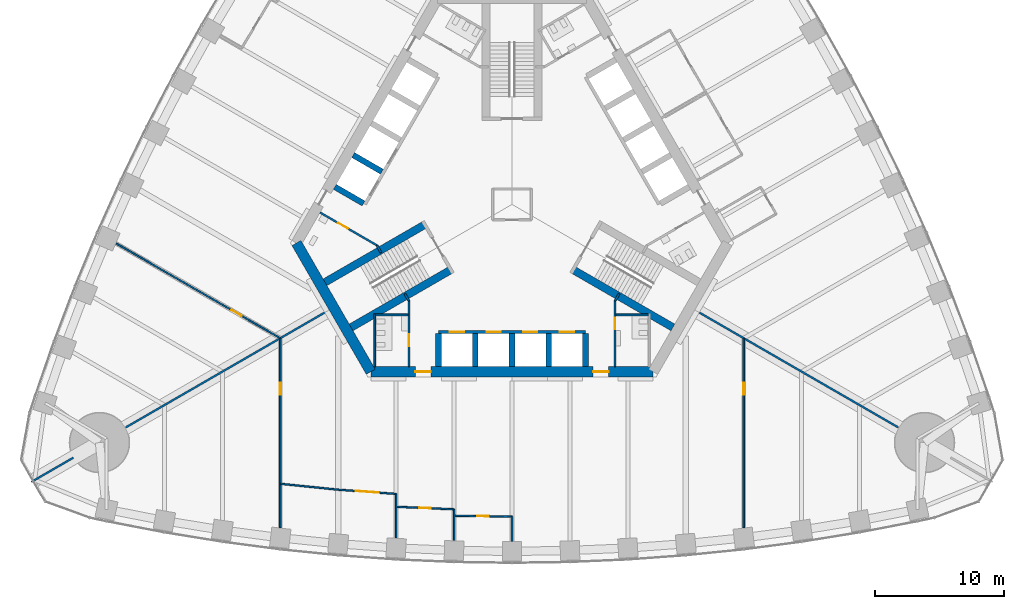
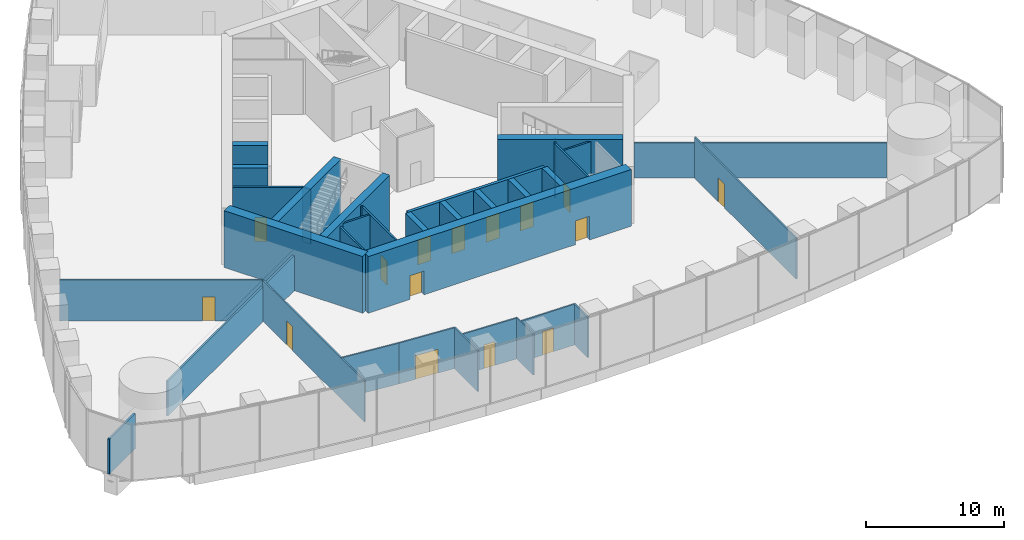
# One storey, part 15 of 21: 35 walls, 15 doors, 15 openings.
"""IFC4 building model written with IfcOpenShell, lengths in metres."""

from ifc_helpers import new_model, si_unit, direction, frame, frame_2d, origin, place, context, subcontext, project, spatial, rectangle, extrude, material, layer, layer_set, type_object, element, fill, save


model = new_model("IFC4")

# Units and contexts
model_context = context("Model", 3, precision=1e-05, world=origin(), true_north=direction((0.0, 1.0)))
body_context = subcontext(model_context, "Body", "Model", "MODEL_VIEW")
ifc_project = project(units=[si_unit("LENGTHUNIT", "METRE"), si_unit("AREAUNIT", "SQUARE_METRE"), si_unit("VOLUMEUNIT", "CUBIC_METRE"), si_unit("PLANEANGLEUNIT", "RADIAN"), si_unit("MASSUNIT", "GRAM", prefix="KILO")], contexts=[model_context])

# Site, building, storey
site_placement = place(None, origin())
site = spatial("IfcSite", under=ifc_project, at=site_placement, CompositionType="ELEMENT")
building_placement = place(site_placement, origin())
building = spatial("IfcBuilding", under=site, at=building_placement, Name="Trefoil Bronze Tower", CompositionType="ELEMENT")
storey_placement = place(building_placement, frame((0.0, 0.0, 11.5)))
storey = spatial("IfcBuildingStorey", under=building, at=storey_placement, Name="L02", CompositionType="ELEMENT", Elevation=11.5)

# Wall, openings, doors
ifc_material_1 = material(Name="Concrete B80", Category="concrete")
ifc_layer_1 = layer(ifc_material_1, 0.800048828125)
ifc_layer_set_1 = layer_set([ifc_layer_1], Name="Core wall 800")
wall_type_1 = type_object("IfcWallType", Name="Core wall 800", PredefinedType="SHEAR", material=ifc_layer_set_1)
wall_1_placement = place(storey_placement, frame((-10.9697265625, -13.0, 0.0), z_axis=(0.0, 0.0, 1.0), x_axis=(1.0, 0.0, 0.0)))
wall_1 = element("IfcWall", 1, at=wall_1_placement, inside=storey, type_object=wall_type_1, Name="Core long wall 1 L02", PredefinedType="SHEAR", context=body_context, shape_type="SweptSolid", body=[
    extrude(rectangle(XDim=21.939453125, YDim=0.800048828125, at=frame_2d((10.9697265625, 0.0))), origin(), (0.0, 0.0, 1.0), 5.0),
])
opening_1_placement = place(wall_1_placement, frame((17.269775390625, 0.0, 0.0)))
opening_1 = element("IfcOpeningElement", 2, at=opening_1_placement, cuts=wall_1, Name="Opening D2", PredefinedType="OPENING", context=body_context, shape_type="SweptSolid", body=[
    extrude(rectangle(XDim=1.199951171875, YDim=2.10009765625, at=frame_2d((0.60009765625, 1.050048828125))), frame((0.0, 0.409912109375, 0.0), z_axis=(0.0, -1.0, 0.0), x_axis=(1.0, 0.0, 0.0)), (0.0, 0.0, 1.0), 0.820068359375),
])
opening_2_placement = place(wall_1_placement, frame((3.4697265625, 0.0, 0.0)))
opening_2 = element("IfcOpeningElement", 3, at=opening_2_placement, cuts=wall_1, Name="Opening D2", PredefinedType="OPENING", context=body_context, shape_type="SweptSolid", body=[
    extrude(rectangle(XDim=1.199951171875, YDim=2.10009765625, at=frame_2d((0.60009765625, 1.050048828125))), frame((0.0, 0.409912109375, 0.0), z_axis=(0.0, -1.0, 0.0), x_axis=(1.0, 0.0, 0.0)), (0.0, 0.0, 1.0), 0.820068359375),
])
ifc_material_2 = material(Name="Steel door", Category="steel")
door_type_1 = type_object("IfcDoorType", Name="Lobby door 1200", OperationType="SINGLE_SWING_RIGHT", PredefinedType="DOOR", material=ifc_material_2)
door_1_placement = place(opening_1_placement, origin())
door_1 = element("IfcDoor", 4, at=door_1_placement, inside=storey, type_object=door_type_1, Name="Lobby door F1+ L02", OperationType="SINGLE_SWING_RIGHT", OverallHeight=2.10009765625, OverallWidth=1.199951171875, PredefinedType="DOOR", context=body_context, shape_type="SweptSolid", body=[
    extrude(rectangle(XDim=1.199951171875, YDim=2.10009765625, at=frame_2d((0.60009765625, 1.050048828125))), frame((0.0, 0.02490234375, 0.0), z_axis=(0.0, -1.0, 0.0), x_axis=(1.0, 0.0, 0.0)), (0.0, 0.0, 1.0), 0.050048828125),
])
fill(opening_1, door_1)
door_2_placement = place(opening_2_placement, origin())
door_2 = element("IfcDoor", 5, at=door_2_placement, inside=storey, type_object=door_type_1, Name="Lobby door F1- L02", OperationType="SINGLE_SWING_LEFT", OverallHeight=2.10009765625, OverallWidth=1.199951171875, PredefinedType="DOOR", context=body_context, shape_type="SweptSolid", body=[
    extrude(rectangle(XDim=1.199951171875, YDim=2.10009765625, at=frame_2d((0.60009765625, 1.050048828125))), frame((0.0, 0.02490234375, 0.0), z_axis=(0.0, -1.0, 0.0), x_axis=(1.0, 0.0, 0.0)), (0.0, 0.0, 1.0), 0.050048828125),
])
fill(opening_2, door_2)

# Wall
wall_2_placement = place(storey_placement, frame((-16.7431640625, -3.0, 0.0), z_axis=(0.0, 0.0, 1.0), x_axis=(0.499995765644, -0.866027848477, 0.0)))
element("IfcWall", 6, at=wall_2_placement, inside=storey, type_object=wall_type_1, Name="Core short wall 3 L02", PredefinedType="SHEAR", context=body_context, shape_type="SweptSolid", body=[
    extrude(rectangle(XDim=11.546875, YDim=0.800048828125, at=frame_2d((5.7734375, 0.0))), origin(), (0.0, 0.0, 1.0), 5.0),
])

# Wall, opening, door
ifc_material_3 = material(Name="Glazed partition", Category="glass")
ifc_layer_2 = layer(ifc_material_3, 0.1201171875)
ifc_layer_set_2 = layer_set([ifc_layer_2], Name="Glazed partition 120")
wall_type_2 = type_object("IfcWallType", Name="Glazed partition 120", PredefinedType="PARTITIONING", material=ifc_layer_set_2)
wall_3_placement = place(storey_placement, frame((-13.5, -22.159912109375, 0.0), z_axis=(0.0, 0.0, 1.0), x_axis=(0.997363894896, -0.072562119306, 0.0)))
wall_3 = element("IfcWall", 7, at=wall_3_placement, inside=storey, type_object=wall_type_2, Name="Partition F1 L02", PredefinedType="PARTITIONING", context=body_context, shape_type="SweptSolid", body=[
    extrude(rectangle(XDim=4.511962890625, YDim=0.1201171875, at=frame_2d((2.255859375, 0.0))), origin(), (0.0, 0.0, 1.0), 3.60009765625),
])
opening_3_placement = place(wall_3_placement, frame((1.35009765625, 0.0, 0.0)))
opening_3 = element("IfcOpeningElement", 8, at=opening_3_placement, cuts=wall_3, Name="Opening D10", PredefinedType="OPENING", context=body_context, shape_type="SweptSolid", body=[
    extrude(rectangle(XDim=1.800048828125, YDim=2.10009765625, at=frame_2d((0.89990234375, 1.050048828125))), frame((0.0, 0.070068359375, 0.0), z_axis=(0.0, -1.0, 0.0), x_axis=(1.0, 0.0, 0.0)), (0.0, 0.0, 1.0), 0.14013671875),
])
ifc_material_4 = material(Name="Timber door", Category="wood")
door_type_2 = type_object("IfcDoorType", Name="Double door 1800", OperationType="DOUBLE_DOOR_SINGLE_SWING", PredefinedType="DOOR", material=ifc_material_4)
door_3_placement = place(opening_3_placement, frame((1.800048828125, 0.0, 0.0), z_axis=(0.0, 0.0, 1.0), x_axis=(-1.0, 0.0, 0.0)))
door_3 = element("IfcDoor", 9, at=door_3_placement, inside=storey, type_object=door_type_2, Name="Kitchen door F1 L02", OperationType="DOUBLE_DOOR_SINGLE_SWING", OverallHeight=2.10009765625, OverallWidth=1.800048828125, PredefinedType="DOOR", context=body_context, shape_type="SweptSolid", body=[
    extrude(rectangle(XDim=1.800048828125, YDim=2.10009765625, at=frame_2d((0.89990234375, 1.050048828125))), frame((0.0, 0.02490234375, 0.0), z_axis=(0.0, -1.0, 0.0), x_axis=(1.0, 0.0, 0.0)), (0.0, 0.0, 1.0), 0.050048828125),
])
fill(opening_3, door_3)

# Wall
wall_4_placement = place(storey_placement, frame((-18.0, -21.70068359375, 0.0), z_axis=(0.0, 0.0, 1.0), x_axis=(0.994833141332, -0.101523499286, 0.0)))
element("IfcWall", 10, at=wall_4_placement, inside=storey, type_object=wall_type_2, Name="Partition F1 L02", PredefinedType="PARTITIONING", context=body_context, shape_type="SweptSolid", body=[
    extrude(rectangle(XDim=4.5234375, YDim=0.1201171875, at=frame_2d((2.26171875, 0.0))), origin(), (0.0, 0.0, 1.0), 3.60009765625),
])

# Wall, opening, door
wall_5_placement = place(storey_placement, frame((-4.5, -24.183349609375, 0.0), z_axis=(0.0, 0.0, 1.0), x_axis=(0.999894311967, -0.014538393859, 0.0)))
wall_5 = element("IfcWall", 11, at=wall_5_placement, inside=storey, type_object=wall_type_2, Name="Partition F1 L02", PredefinedType="PARTITIONING", context=body_context, shape_type="SweptSolid", body=[
    extrude(rectangle(XDim=4.50048828125, YDim=0.1201171875, at=frame_2d((2.250244140625, 0.0))), origin(), (0.0, 0.0, 1.0), 3.60009765625),
])
opening_4_placement = place(wall_5_placement, frame((1.800048828125, 0.0, 0.0)))
opening_4 = element("IfcOpeningElement", 12, at=opening_4_placement, cuts=wall_5, Name="Opening D8", PredefinedType="OPENING", context=body_context, shape_type="SweptSolid", body=[
    extrude(rectangle(XDim=0.89990234375, YDim=2.10009765625, at=frame_2d((0.449951171875, 1.050048828125))), frame((0.0, 0.070068359375, 0.0), z_axis=(0.0, -1.0, 0.0), x_axis=(1.0, 0.0, 0.0)), (0.0, 0.0, 1.0), 0.14013671875),
])
ifc_material_5 = material(Name="Timber door", Category="wood")
door_type_3 = type_object("IfcDoorType", Name="Office door 900", OperationType="SINGLE_SWING_LEFT", PredefinedType="DOOR", material=ifc_material_5)
door_4_placement = place(opening_4_placement, frame((0.89990234375, 0.0, 0.0), z_axis=(0.0, 0.0, 1.0), x_axis=(-1.0, 0.0, 0.0)))
door_4 = element("IfcDoor", 13, at=door_4_placement, inside=storey, type_object=door_type_3, Name="Dry store door F1 L02", OperationType="SINGLE_SWING_RIGHT", OverallHeight=2.10009765625, OverallWidth=0.89990234375, PredefinedType="DOOR", context=body_context, shape_type="SweptSolid", body=[
    extrude(rectangle(XDim=0.89990234375, YDim=2.10009765625, at=frame_2d((0.449951171875, 1.050048828125))), frame((0.0, 0.02490234375, 0.0), z_axis=(0.0, -1.0, 0.0), x_axis=(1.0, 0.0, 0.0)), (0.0, 0.0, 1.0), 0.050048828125),
])
fill(opening_4, door_4)

wall_6_placement = place(storey_placement, frame((-9.0, -23.4873046875, 0.0), z_axis=(0.0, 0.0, 1.0), x_axis=(0.999052370647, -0.043524254212, 0.0)))
wall_6 = element("IfcWall", 14, at=wall_6_placement, inside=storey, type_object=wall_type_2, Name="Partition F1 L02", PredefinedType="PARTITIONING", context=body_context, shape_type="SweptSolid", body=[
    extrude(rectangle(XDim=4.504150390625, YDim=0.1201171875, at=frame_2d((2.251953125, 0.0))), origin(), (0.0, 0.0, 1.0), 3.60009765625),
])
opening_5_placement = place(wall_6_placement, frame((1.800048828125, 0.0, 0.0)))
opening_5 = element("IfcOpeningElement", 15, at=opening_5_placement, cuts=wall_6, Name="Opening D8", PredefinedType="OPENING", context=body_context, shape_type="SweptSolid", body=[
    extrude(rectangle(XDim=0.89990234375, YDim=2.10009765625, at=frame_2d((0.449951171875, 1.050048828125))), frame((0.0, 0.070068359375, 0.0), z_axis=(0.0, -1.0, 0.0), x_axis=(1.0, 0.0, 0.0)), (0.0, 0.0, 1.0), 0.14013671875),
])
door_5_placement = place(opening_5_placement, frame((0.89990234375, 0.0, 0.0), z_axis=(0.0, 0.0, 1.0), x_axis=(-1.0, 0.0, 0.0)))
door_5 = element("IfcDoor", 16, at=door_5_placement, inside=storey, type_object=door_type_3, Name="Cold store door F1 L02", OperationType="SINGLE_SWING_RIGHT", OverallHeight=2.10009765625, OverallWidth=0.89990234375, PredefinedType="DOOR", context=body_context, shape_type="SweptSolid", body=[
    extrude(rectangle(XDim=0.89990234375, YDim=2.10009765625, at=frame_2d((0.449951171875, 1.050048828125))), frame((0.0, 0.02490234375, 0.0), z_axis=(0.0, -1.0, 0.0), x_axis=(1.0, 0.0, 0.0)), (0.0, 0.0, 1.0), 0.050048828125),
])
fill(opening_5, door_5)

# Wall
wall_7_placement = place(storey_placement, frame((0.0, -24.248779296875, 0.0), z_axis=(0.0, 0.0, 1.0), x_axis=(0.0, -1.0, 0.0)))
element("IfcWall", 17, at=wall_7_placement, inside=storey, type_object=wall_type_2, Name="Partition F1 L02", PredefinedType="PARTITIONING", context=body_context, shape_type="SweptSolid", body=[
    extrude(rectangle(XDim=1.919921875, YDim=0.1201171875, at=frame_2d((0.9599609375, 0.0))), origin(), (0.0, 0.0, 1.0), 3.60009765625),
])

# Wall, opening, door
wall_8_placement = place(storey_placement, frame((18.0, -10.42138671875, 0.0), z_axis=(0.0, 0.0, 1.0), x_axis=(0.0, -1.0, 0.0)))
wall_8 = element("IfcWall", 18, at=wall_8_placement, inside=storey, type_object=wall_type_2, Name="Partition F1 L02", PredefinedType="PARTITIONING", context=body_context, shape_type="SweptSolid", body=[
    extrude(rectangle(XDim=14.6884765625, YDim=0.1201171875, at=frame_2d((7.34423828125, 0.0))), origin(), (0.0, 0.0, 1.0), 3.60009765625),
])
opening_6_placement = place(wall_8_placement, frame((3.449951171875, 0.0, 0.0)))
opening_6 = element("IfcOpeningElement", 19, at=opening_6_placement, cuts=wall_8, Name="Opening D8", PredefinedType="OPENING", context=body_context, shape_type="SweptSolid", body=[
    extrude(rectangle(XDim=0.89990234375, YDim=2.10009765625, at=frame_2d((0.449951171875, 1.050048828125))), frame((0.0, 0.070068359375, 0.0), z_axis=(0.0, -1.0, 0.0), x_axis=(1.0, 0.0, 0.0)), (0.0, 0.0, 1.0), 0.14013671875),
])
door_6_placement = place(opening_6_placement, origin())
door_6 = element("IfcDoor", 20, at=door_6_placement, inside=storey, type_object=door_type_3, Name="Plant room door F1 L02", OperationType="SINGLE_SWING_LEFT", OverallHeight=2.10009765625, OverallWidth=0.89990234375, PredefinedType="DOOR", context=body_context, shape_type="SweptSolid", body=[
    extrude(rectangle(XDim=0.89990234375, YDim=2.10009765625, at=frame_2d((0.449951171875, 1.050048828125))), frame((0.0, 0.02490234375, 0.0), z_axis=(0.0, -1.0, 0.0), x_axis=(1.0, 0.0, 0.0)), (0.0, 0.0, 1.0), 0.050048828125),
])
fill(opening_6, door_6)

wall_9_placement = place(storey_placement, frame((-18.0, -10.42138671875, 0.0), z_axis=(0.0, 0.0, 1.0), x_axis=(0.0, -1.0, 0.0)))
wall_9 = element("IfcWall", 21, at=wall_9_placement, inside=storey, type_object=wall_type_2, Name="Partition F1 L02", PredefinedType="PARTITIONING", context=body_context, shape_type="SweptSolid", body=[
    extrude(rectangle(XDim=14.6884765625, YDim=0.1201171875, at=frame_2d((7.34423828125, 0.0))), origin(), (0.0, 0.0, 1.0), 3.60009765625),
])
opening_7_placement = place(wall_9_placement, frame((3.449951171875, 0.0, 0.0)))
opening_7 = element("IfcOpeningElement", 22, at=opening_7_placement, cuts=wall_9, Name="Opening D8", PredefinedType="OPENING", context=body_context, shape_type="SweptSolid", body=[
    extrude(rectangle(XDim=0.89990234375, YDim=2.10009765625, at=frame_2d((0.449951171875, 1.050048828125))), frame((0.0, 0.070068359375, 0.0), z_axis=(0.0, -1.0, 0.0), x_axis=(1.0, 0.0, 0.0)), (0.0, 0.0, 1.0), 0.14013671875),
])
door_7_placement = place(opening_7_placement, frame((0.89990234375, 0.0, 0.0), z_axis=(0.0, 0.0, 1.0), x_axis=(-1.0, 0.0, 0.0)))
door_7 = element("IfcDoor", 23, at=door_7_placement, inside=storey, type_object=door_type_3, Name="Plant room door F1 L02", OperationType="SINGLE_SWING_RIGHT", OverallHeight=2.10009765625, OverallWidth=0.89990234375, PredefinedType="DOOR", context=body_context, shape_type="SweptSolid", body=[
    extrude(rectangle(XDim=0.89990234375, YDim=2.10009765625, at=frame_2d((0.449951171875, 1.050048828125))), frame((0.0, 0.02490234375, 0.0), z_axis=(0.0, -1.0, 0.0), x_axis=(1.0, 0.0, 0.0)), (0.0, 0.0, 1.0), 0.050048828125),
])
fill(opening_7, door_7)

# Walls
wall_10_placement = place(storey_placement, frame((-4.5, -23.683349609375, 0.0), z_axis=(0.0, 0.0, 1.0), x_axis=(0.0, -1.0, 0.0)))
element("IfcWall", 24, at=wall_10_placement, inside=storey, type_object=wall_type_2, Name="Partition F1 L02", PredefinedType="PARTITIONING", context=body_context, shape_type="SweptSolid", body=[
    extrude(rectangle(XDim=2.41943359375, YDim=0.1201171875, at=frame_2d((1.209716796875, 0.0))), origin(), (0.0, 0.0, 1.0), 3.60009765625),
])
wall_11_placement = place(storey_placement, frame((-9.0, -22.4873046875, 0.0), z_axis=(0.0, 0.0, 1.0), x_axis=(0.0, -1.0, 0.0)))
element("IfcWall", 25, at=wall_11_placement, inside=storey, type_object=wall_type_2, Name="Partition F1 L02", PredefinedType="PARTITIONING", context=body_context, shape_type="SweptSolid", body=[
    extrude(rectangle(XDim=3.41748046875, YDim=0.1201171875, at=frame_2d((1.708740234375, 0.0))), origin(), (0.0, 0.0, 1.0), 3.60009765625),
])

# Wall, opening, door
wall_12_placement = place(storey_placement, frame((-18.025146484375, -10.377685546875, 0.0), z_axis=(0.0, 0.0, 1.0), x_axis=(-0.866027263711, 0.4999967785, 0.0)))
wall_12 = element("IfcWall", 26, at=wall_12_placement, inside=storey, type_object=wall_type_2, Name="Partition F3 L02", PredefinedType="PARTITIONING", context=body_context, shape_type="SweptSolid", body=[
    extrude(rectangle(XDim=14.6884765625, YDim=0.1201171875, at=frame_2d((7.34423828125, 0.0))), origin(), (0.0, 0.0, 1.0), 3.60009765625),
])
opening_8_placement = place(wall_12_placement, frame((3.449951171875, 0.0, 0.0)))
opening_8 = element("IfcOpeningElement", 27, at=opening_8_placement, cuts=wall_12, Name="Opening D8", PredefinedType="OPENING", context=body_context, shape_type="SweptSolid", body=[
    extrude(rectangle(XDim=0.89990234375, YDim=2.10009765625, at=frame_2d((0.449951171875, 1.050048828125))), frame((0.0, 0.070068359375, 0.0), z_axis=(0.0, -1.0, 0.0), x_axis=(1.0, 0.0, 0.0)), (0.0, 0.0, 1.0), 0.14013671875),
])
door_8_placement = place(opening_8_placement, origin())
door_8 = element("IfcDoor", 28, at=door_8_placement, inside=storey, type_object=door_type_3, Name="Plant room door F3 L02", OperationType="SINGLE_SWING_LEFT", OverallHeight=2.10009765625, OverallWidth=0.89990234375, PredefinedType="DOOR", context=body_context, shape_type="SweptSolid", body=[
    extrude(rectangle(XDim=0.89990234375, YDim=2.10009765625, at=frame_2d((0.449951171875, 1.050048828125))), frame((0.0, 0.02490234375, 0.0), z_axis=(0.0, -1.0, 0.0), x_axis=(1.0, 0.0, 0.0)), (0.0, 0.0, 1.0), 0.050048828125),
])
fill(opening_8, door_8)

# Walls
ifc_material_6 = material(Name="Concrete B80", Category="concrete")
ifc_layer_3 = layer(ifc_material_6, 0.449951171875)
ifc_layer_set_3 = layer_set([ifc_layer_3], Name="Outrigger shaft wall 450")
wall_type_3 = type_object("IfcWallType", Name="Outrigger shaft wall 450", PredefinedType="SHEAR", material=ifc_layer_set_3)
for number, where, z_axis, x_axis, name in (
    (29, (-5.699951171875, -10.02490234375, 0.0), (0.0, 0.0, 1.0), (0.0, -1.0, 0.0), "Lift shaft side wall A0 L02"),
    (30, (-2.85009765625, -10.02490234375, 0.0), (0.0, 0.0, 1.0), (0.0, -1.0, 0.0), "Lift shaft side wall A1 L02"),
    (31, (0.0, -10.02490234375, 0.0), (0.0, 0.0, 1.0), (0.0, -1.0, 0.0), "Lift shaft side wall A2 L02"),
    (32, (2.85009765625, -10.02490234375, 0.0), (0.0, 0.0, 1.0), (0.0, -1.0, 0.0), "Lift shaft side wall A3 L02"),
    (33, (5.699951171875, -10.02490234375, 0.0), (0.0, 0.0, 1.0), (0.0, -1.0, 0.0), "Lift shaft side wall A4 L02"),
):
    element("IfcWall", number, at=place(storey_placement, frame(where, z_axis=z_axis, x_axis=x_axis)), inside=storey, type_object=wall_type_3, Name=name, PredefinedType="SHEAR", context=body_context, shape_type="SweptSolid", body=[
        extrude(rectangle(XDim=2.5751953125, YDim=0.449951171875, at=frame_2d((1.28759765625, 0.0))), origin(), (0.0, 0.0, 1.0), 5.0),
    ])
for number, where, z_axis, x_axis, name in (
    (34, (-10.10693359375, 2.54443359375, 0.0), (0.0, 0.0, 1.0), (-0.866046643894, 0.499963209246, 0.0), "Lift shaft side wall C3 L02"),
    (35, (-11.531982421875, 0.076171875, 0.0), (0.0, 0.0, 1.0), (-0.866005588531, 0.500034319456, 0.0), "Lift shaft side wall C4 L02"),
):
    element("IfcWall", number, at=place(storey_placement, frame(where, z_axis=z_axis, x_axis=x_axis)), inside=storey, type_object=wall_type_3, Name=name, PredefinedType="SHEAR", context=body_context, shape_type="SweptSolid", body=[
        extrude(rectangle(XDim=2.574951171875, YDim=0.449951171875, at=frame_2d((1.28759765625, 0.0))), origin(), (0.0, 0.0, 1.0), 5.0),
    ])

# Wall, opening, door
ifc_material_7 = material(Name="Gypsum board on steel studs", Category="steel")
ifc_layer_4 = layer(ifc_material_7, 0.14990234375)
ifc_layer_set_4 = layer_set([ifc_layer_4], Name="Partition 150")
wall_type_4 = type_object("IfcWallType", Name="Partition 150", PredefinedType="PARTITIONING", material=ifc_layer_set_4)
wall_13_placement = place(storey_placement, frame((8.0, -7.5, 0.0), z_axis=(0.0, 0.0, 1.0), x_axis=(0.0, -1.0, 0.0)))
wall_13 = element("IfcWall", 36, at=wall_13_placement, inside=storey, type_object=wall_type_4, Name="Passage wall F1+ L02", PredefinedType="PARTITIONING", context=body_context, shape_type="SweptSolid", body=[
    extrude(rectangle(XDim=5.10009765625, YDim=0.14990234375, at=frame_2d((2.550048828125, 0.0))), origin(), (0.0, 0.0, 1.0), 4.800048828125),
])
opening_9_placement = place(wall_13_placement, frame((1.300048828125, 0.0, 0.0)))
opening_9 = element("IfcOpeningElement", 37, at=opening_9_placement, cuts=wall_13, Name="Opening D3", PredefinedType="OPENING", context=body_context, shape_type="SweptSolid", body=[
    extrude(rectangle(XDim=0.89990234375, YDim=2.10009765625, at=frame_2d((0.449951171875, 1.050048828125))), frame((0.0, 0.0849609375, 0.0), z_axis=(0.0, -1.0, 0.0), x_axis=(1.0, 0.0, 0.0)), (0.0, 0.0, 1.0), 0.169921875),
])
ifc_material_8 = material(Name="Timber door", Category="wood")
door_type_4 = type_object("IfcDoorType", Name="WC door 900", OperationType="SINGLE_SWING_LEFT", PredefinedType="DOOR", material=ifc_material_8)
door_9_placement = place(opening_9_placement, origin())
door_9 = element("IfcDoor", 38, at=door_9_placement, inside=storey, type_object=door_type_4, Name="WC (men) door L02", OperationType="SINGLE_SWING_LEFT", OverallHeight=2.10009765625, OverallWidth=0.89990234375, PredefinedType="DOOR", context=body_context, shape_type="SweptSolid", body=[
    extrude(rectangle(XDim=0.89990234375, YDim=2.10009765625, at=frame_2d((0.449951171875, 1.050048828125))), frame((0.0, 0.02490234375, 0.0), z_axis=(0.0, -1.0, 0.0), x_axis=(1.0, 0.0, 0.0)), (0.0, 0.0, 1.0), 0.050048828125),
])
fill(opening_9, door_9)

wall_14_placement = place(storey_placement, frame((-8.0, -7.5, 0.0), z_axis=(0.0, 0.0, 1.0), x_axis=(0.0, -1.0, 0.0)))
wall_14 = element("IfcWall", 39, at=wall_14_placement, inside=storey, type_object=wall_type_4, Name="Passage wall F1- L02", PredefinedType="PARTITIONING", context=body_context, shape_type="SweptSolid", body=[
    extrude(rectangle(XDim=5.10009765625, YDim=0.14990234375, at=frame_2d((2.550048828125, 0.0))), origin(), (0.0, 0.0, 1.0), 4.800048828125),
])
opening_10_placement = place(wall_14_placement, frame((2.60009765625, 0.0, 0.0)))
opening_10 = element("IfcOpeningElement", 40, at=opening_10_placement, cuts=wall_14, Name="Opening D3", PredefinedType="OPENING", context=body_context, shape_type="SweptSolid", body=[
    extrude(rectangle(XDim=0.89990234375, YDim=2.10009765625, at=frame_2d((0.449951171875, 1.050048828125))), frame((0.0, 0.0849609375, 0.0), z_axis=(0.0, -1.0, 0.0), x_axis=(1.0, 0.0, 0.0)), (0.0, 0.0, 1.0), 0.169921875),
])
door_10_placement = place(opening_10_placement, frame((0.89990234375, 0.0, 0.0), z_axis=(0.0, 0.0, 1.0), x_axis=(-1.0, 0.0, 0.0)))
door_10 = element("IfcDoor", 41, at=door_10_placement, inside=storey, type_object=door_type_4, Name="WC (women) door L02", OperationType="SINGLE_SWING_RIGHT", OverallHeight=2.10009765625, OverallWidth=0.89990234375, PredefinedType="DOOR", context=body_context, shape_type="SweptSolid", body=[
    extrude(rectangle(XDim=0.89990234375, YDim=2.10009765625, at=frame_2d((0.449951171875, 1.050048828125))), frame((0.0, 0.02490234375, 0.0), z_axis=(0.0, -1.0, 0.0), x_axis=(1.0, 0.0, 0.0)), (0.0, 0.0, 1.0), 0.050048828125),
])
fill(opening_10, door_10)

wall_15_placement = place(storey_placement, frame((-10.4951171875, -3.17822265625, 0.0), z_axis=(0.0, 0.0, 1.0), x_axis=(-0.86602216432, 0.500005610874, 0.0)))
wall_15 = element("IfcWall", 42, at=wall_15_placement, inside=storey, type_object=wall_type_4, Name="Passage wall F3+ L02", PredefinedType="PARTITIONING", context=body_context, shape_type="SweptSolid", body=[
    extrude(rectangle(XDim=5.10009765625, YDim=0.14990234375, at=frame_2d((2.550048828125, 0.0))), origin(), (0.0, 0.0, 1.0), 4.800048828125),
])
opening_11_placement = place(wall_15_placement, frame((2.60009765625, 0.0, 0.0)))
opening_11 = element("IfcOpeningElement", 43, at=opening_11_placement, cuts=wall_15, Name="Opening D3", PredefinedType="OPENING", context=body_context, shape_type="SweptSolid", body=[
    extrude(rectangle(XDim=0.89990234375, YDim=2.10009765625, at=frame_2d((0.449951171875, 1.050048828125))), frame((0.0, 0.0849609375, 0.0), z_axis=(0.0, -1.0, 0.0), x_axis=(1.0, 0.0, 0.0)), (0.0, 0.0, 1.0), 0.169921875),
])
door_11_placement = place(opening_11_placement, origin())
door_11 = element("IfcDoor", 44, at=door_11_placement, inside=storey, type_object=door_type_4, Name="Accessible WC door L02", OperationType="SINGLE_SWING_RIGHT", OverallHeight=2.10009765625, OverallWidth=0.89990234375, PredefinedType="DOOR", context=body_context, shape_type="SweptSolid", body=[
    extrude(rectangle(XDim=0.89990234375, YDim=2.10009765625, at=frame_2d((0.449951171875, 1.050048828125))), frame((0.0, 0.02490234375, 0.0), z_axis=(0.0, -1.0, 0.0), x_axis=(1.0, 0.0, 0.0)), (0.0, 0.0, 1.0), 0.050048828125),
])
fill(opening_11, door_11)

# Walls
for number, where, z_axis, x_axis, name in (
    (45, (8.0, -7.5, 0.0), (0.0, 0.0, 1.0), (0.499842556608, 0.866116284689, 0.0), "WC wall ST1-1 L02"),
    (46, (-10.4951171875, -3.17822265625, 0.0), (0.0, 0.0, 1.0), (0.499842556608, -0.866116284689, 0.0), "WC wall ST3-1 L02"),
    (47, (-8.0, -7.5, 0.0), (0.0, 0.0, 1.0), (-0.499842556608, 0.866116284689, 0.0), "WC wall ST3+1 L02"),
):
    element("IfcWall", number, at=place(storey_placement, frame(where, z_axis=z_axis, x_axis=x_axis)), inside=storey, type_object=wall_type_4, Name=name, PredefinedType="PARTITIONING", context=body_context, shape_type="SweptSolid", body=[
        extrude(rectangle(XDim=0.645263671875, YDim=0.14990234375, at=frame_2d((0.32275390625, 0.0))), origin(), (0.0, 0.0, 1.0), 4.800048828125),
    ])
wall_16_placement = place(storey_placement, frame((8.074951171875, -8.574951171875, 0.0), z_axis=(0.0, 0.0, 1.0), x_axis=(1.0, 0.0, 0.0)))
element("IfcWall", 48, at=wall_16_placement, inside=storey, type_object=wall_type_4, Name="WC partition WC (men) L02", PredefinedType="PARTITIONING", context=body_context, shape_type="SweptSolid", body=[
    extrude(rectangle(XDim=2.510009765625, YDim=0.14990234375, at=frame_2d((1.2548828125, 0.0))), origin(), (0.0, 0.0, 1.0), 4.800048828125),
])
wall_17_placement = place(storey_placement, frame((-10.659912109375, -8.5, 0.0), z_axis=(0.0, 0.0, 1.0), x_axis=(0.0, -1.0, 0.0)))
element("IfcWall", 49, at=wall_17_placement, inside=storey, type_object=wall_type_4, Name="WC partition WC (women) L02", PredefinedType="PARTITIONING", context=body_context, shape_type="SweptSolid", body=[
    extrude(rectangle(XDim=4.10009765625, YDim=0.14990234375, at=frame_2d((2.050048828125, 0.0))), origin(), (0.0, 0.0, 1.0), 4.800048828125),
])
wall_18_placement = place(storey_placement, frame((-8.074951171875, -8.574951171875, 0.0), z_axis=(0.0, 0.0, 1.0), x_axis=(-1.0, 0.0, 0.0)))
element("IfcWall", 50, at=wall_18_placement, inside=storey, type_object=wall_type_4, Name="WC partition WC (women) L02", PredefinedType="PARTITIONING", context=body_context, shape_type="SweptSolid", body=[
    extrude(rectangle(XDim=2.510009765625, YDim=0.14990234375, at=frame_2d((1.2548828125, 0.0))), origin(), (0.0, 0.0, 1.0), 4.800048828125),
])
ifc_material_9 = material(Name="Gypsum board on steel studs", Category="steel")
ifc_layer_5 = layer(ifc_material_9, 0.14990234375)
ifc_layer_set_5 = layer_set([ifc_layer_5], Name="Party wall 150")
wall_type_5 = type_object("IfcWallType", Name="Party wall 150", PredefinedType="PARTITIONING", material=ifc_layer_set_5)
for number, where, z_axis, x_axis, name in (
    (51, (14.202880859375, -8.199951171875, 0.0), (0.0, 0.0, 1.0), (0.866024965723, -0.500000758745, 0.0), "Party wall K1 L02"),
    (52, (-14.202880859375, -8.199951171875, 0.0), (0.0, 0.0, 1.0), (-0.866024965723, -0.500000758745, 0.0), "Party wall K3 L02"),
):
    element("IfcWall", number, at=place(storey_placement, frame(where, z_axis=z_axis, x_axis=x_axis)), inside=storey, type_object=wall_type_5, Name=name, PredefinedType="PARTITIONING", context=body_context, shape_type="SweptSolid", body=[
        extrude(rectangle(XDim=18.25, YDim=0.14990234375, at=frame_2d((9.125, 0.0))), origin(), (0.0, 0.0, 1.0), 3.10009765625),
    ])
wall_19_placement = place(storey_placement, frame((-34.078125, -19.675048828125, 0.0), z_axis=(0.0, 0.0, 1.0), x_axis=(-0.866019247219, -0.500010663332, 0.0)))
element("IfcWall", 53, at=wall_19_placement, inside=storey, type_object=wall_type_5, Name="Party wall K3 L02", PredefinedType="PARTITIONING", context=body_context, shape_type="SweptSolid", body=[
    extrude(rectangle(XDim=3.76416015625, YDim=0.14990234375, at=frame_2d((1.882080078125, 0.0))), origin(), (0.0, 0.0, 1.0), 3.10009765625),
])

# Wall, openings, doors
ifc_material_10 = material(Name="Concrete B80", Category="concrete")
ifc_layer_6 = layer(ifc_material_10, 0.25)
ifc_layer_set_6 = layer_set([ifc_layer_6], Name="Shaft wall 250")
wall_type_6 = type_object("IfcWallType", Name="Shaft wall 250", PredefinedType="SHEAR", material=ifc_layer_set_6)
wall_20_placement = place(storey_placement, frame((-5.699951171875, -9.89990234375, 0.0), z_axis=(0.0, 0.0, 1.0), x_axis=(1.0, 0.0, 0.0)))
wall_20 = element("IfcWall", 54, at=wall_20_placement, inside=storey, type_object=wall_type_6, Name="Lift shaft front wall A L02", PredefinedType="SHEAR", context=body_context, shape_type="SweptSolid", body=[
    extrude(rectangle(XDim=11.39990234375, YDim=0.25, at=frame_2d((5.699951171875, 0.0))), origin(), (0.0, 0.0, 1.0), 5.0),
])
opening_12_placement = place(wall_20_placement, frame((0.875, 0.0, 0.0)))
opening_12 = element("IfcOpeningElement", 55, at=opening_12_placement, cuts=wall_20, Name="Opening LD-P11", PredefinedType="OPENING", context=body_context, shape_type="SweptSolid", body=[
    extrude(rectangle(XDim=1.10009765625, YDim=2.199951171875, at=frame_2d((0.550048828125, 1.10009765625))), frame((0.0, 0.135009765625, 0.0), z_axis=(0.0, -1.0, 0.0), x_axis=(1.0, 0.0, 0.0)), (0.0, 0.0, 1.0), 0.27001953125),
])
opening_13_placement = place(wall_20_placement, frame((3.72509765625, 0.0, 0.0)))
opening_13 = element("IfcOpeningElement", 56, at=opening_13_placement, cuts=wall_20, Name="Opening LD-P12", PredefinedType="OPENING", context=body_context, shape_type="SweptSolid", body=[
    extrude(rectangle(XDim=1.10009765625, YDim=2.199951171875, at=frame_2d((0.550048828125, 1.10009765625))), frame((0.0, 0.135009765625, 0.0), z_axis=(0.0, -1.0, 0.0), x_axis=(1.0, 0.0, 0.0)), (0.0, 0.0, 1.0), 0.27001953125),
])
opening_14_placement = place(wall_20_placement, frame((6.574951171875, 0.0, 0.0)))
opening_14 = element("IfcOpeningElement", 57, at=opening_14_placement, cuts=wall_20, Name="Opening LD-P13", PredefinedType="OPENING", context=body_context, shape_type="SweptSolid", body=[
    extrude(rectangle(XDim=1.10009765625, YDim=2.199951171875, at=frame_2d((0.550048828125, 1.10009765625))), frame((0.0, 0.135009765625, 0.0), z_axis=(0.0, -1.0, 0.0), x_axis=(1.0, 0.0, 0.0)), (0.0, 0.0, 1.0), 0.27001953125),
])
opening_15_placement = place(wall_20_placement, frame((9.425048828125, 0.0, 0.0)))
opening_15 = element("IfcOpeningElement", 58, at=opening_15_placement, cuts=wall_20, Name="Opening LD-P14", PredefinedType="OPENING", context=body_context, shape_type="SweptSolid", body=[
    extrude(rectangle(XDim=1.10009765625, YDim=2.199951171875, at=frame_2d((0.550048828125, 1.10009765625))), frame((0.0, 0.135009765625, 0.0), z_axis=(0.0, -1.0, 0.0), x_axis=(1.0, 0.0, 0.0)), (0.0, 0.0, 1.0), 0.27001953125),
])
ifc_material_11 = material(Name="Steel door", Category="steel")
door_type_5 = type_object("IfcDoorType", Name="Lift landing door 1100", OperationType="DOUBLE_DOOR_SLIDING", PredefinedType="DOOR", material=ifc_material_11)
door_12_placement = place(opening_12_placement, origin())
door_12 = element("IfcDoor", 59, at=door_12_placement, inside=storey, type_object=door_type_5, Name="Lift P11 landing door L02", OperationType="DOUBLE_DOOR_SLIDING", OverallHeight=2.199951171875, OverallWidth=1.10009765625, PredefinedType="DOOR", context=body_context, shape_type="SweptSolid", body=[
    extrude(rectangle(XDim=1.10009765625, YDim=2.199951171875, at=frame_2d((0.550048828125, 1.10009765625))), frame((0.0, 0.02490234375, 0.0), z_axis=(0.0, -1.0, 0.0), x_axis=(1.0, 0.0, 0.0)), (0.0, 0.0, 1.0), 0.050048828125),
])
fill(opening_12, door_12)
door_13_placement = place(opening_13_placement, origin())
door_13 = element("IfcDoor", 60, at=door_13_placement, inside=storey, type_object=door_type_5, Name="Lift P12 landing door L02", OperationType="DOUBLE_DOOR_SLIDING", OverallHeight=2.199951171875, OverallWidth=1.10009765625, PredefinedType="DOOR", context=body_context, shape_type="SweptSolid", body=[
    extrude(rectangle(XDim=1.10009765625, YDim=2.199951171875, at=frame_2d((0.550048828125, 1.10009765625))), frame((0.0, 0.02490234375, 0.0), z_axis=(0.0, -1.0, 0.0), x_axis=(1.0, 0.0, 0.0)), (0.0, 0.0, 1.0), 0.050048828125),
])
fill(opening_13, door_13)
door_14_placement = place(opening_14_placement, origin())
door_14 = element("IfcDoor", 61, at=door_14_placement, inside=storey, type_object=door_type_5, Name="Lift P13 landing door L02", OperationType="DOUBLE_DOOR_SLIDING", OverallHeight=2.199951171875, OverallWidth=1.10009765625, PredefinedType="DOOR", context=body_context, shape_type="SweptSolid", body=[
    extrude(rectangle(XDim=1.10009765625, YDim=2.199951171875, at=frame_2d((0.550048828125, 1.10009765625))), frame((0.0, 0.02490234375, 0.0), z_axis=(0.0, -1.0, 0.0), x_axis=(1.0, 0.0, 0.0)), (0.0, 0.0, 1.0), 0.050048828125),
])
fill(opening_14, door_14)
door_15_placement = place(opening_15_placement, origin())
door_15 = element("IfcDoor", 62, at=door_15_placement, inside=storey, type_object=door_type_5, Name="Lift P14 landing door L02", OperationType="DOUBLE_DOOR_SLIDING", OverallHeight=2.199951171875, OverallWidth=1.10009765625, PredefinedType="DOOR", context=body_context, shape_type="SweptSolid", body=[
    extrude(rectangle(XDim=1.10009765625, YDim=2.199951171875, at=frame_2d((0.550048828125, 1.10009765625))), frame((0.0, 0.02490234375, 0.0), z_axis=(0.0, -1.0, 0.0), x_axis=(1.0, 0.0, 0.0)), (0.0, 0.0, 1.0), 0.050048828125),
])
fill(opening_15, door_15)

# Walls
ifc_material_12 = material(Name="Concrete B80", Category="concrete")
ifc_layer_7 = layer(ifc_material_12, 0.60009765625)
ifc_layer_set_7 = layer_set([ifc_layer_7], Name="Stair wall 600")
wall_type_7 = type_object("IfcWallType", Name="Stair wall 600", PredefinedType="SHEAR", material=ifc_layer_set_7)
for number, where, z_axis, x_axis, name in (
    (63, (4.638427734375, -5.01611328125, 0.0), (0.0, 0.0, 1.0), (0.866019375473, -0.500010441196, 0.0), "Stair wall ST1 L02"),
    (64, (-6.663330078125, -1.5087890625, 0.0), (0.0, 0.0, 1.0), (-0.866019375473, -0.500010441196, 0.0), "Stair wall ST3 L02"),
    (65, (-4.638427734375, -5.01611328125, 0.0), (0.0, 0.0, 1.0), (-0.866019375473, -0.500010441196, 0.0), "Stair wall ST3 L02"),
):
    element("IfcWall", number, at=place(storey_placement, frame(where, z_axis=z_axis, x_axis=x_axis)), inside=storey, type_object=wall_type_7, Name=name, PredefinedType="SHEAR", context=body_context, shape_type="SweptSolid", body=[
        extrude(rectangle(XDim=9.074951171875, YDim=0.60009765625, at=frame_2d((4.53759765625, 0.0))), origin(), (0.0, 0.0, 1.0), 5.0),
    ])

save(model, "model.ifc")
